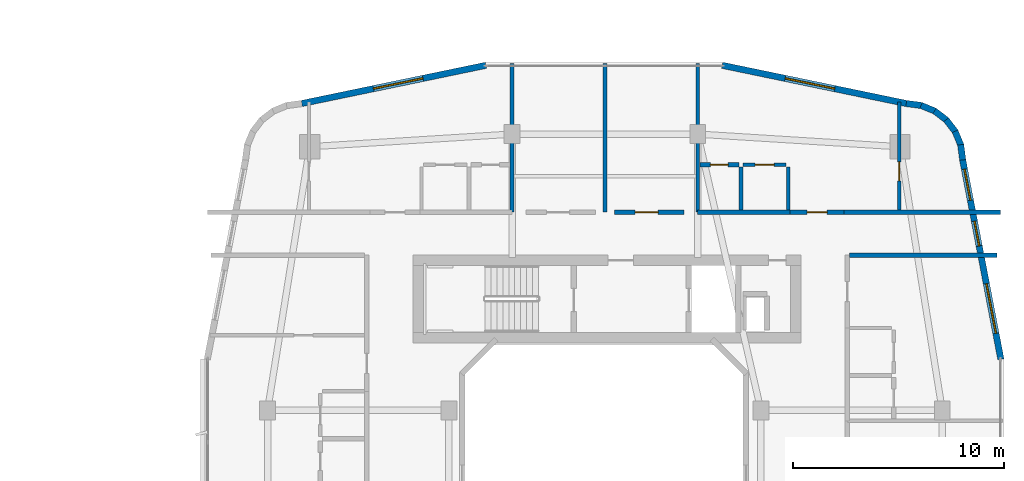
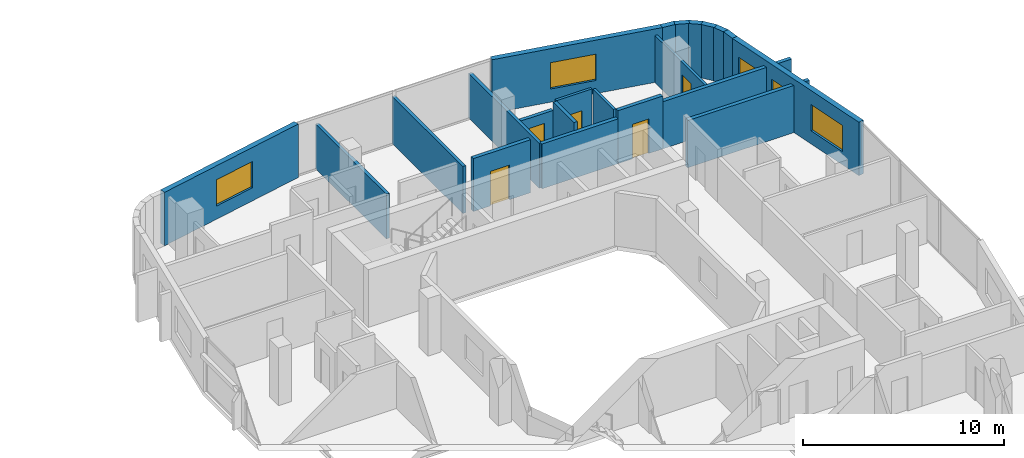
# One storey, part 20 of 26: 22 walls, 5 doors, 5 windows, 10 openings.
"""IFC4 building model written with IfcOpenShell, lengths in metres."""

from ifc_helpers import new_model, si_unit, derived_unit, direction, frame, frame_2d, origin, place, context, subcontext, project, spatial, rectangle, extrude, material, layer, layer_set, type_object, element, fill, save


model = new_model("IFC4")

# Units and contexts
model_context = context("Model", 3, precision=1e-05, world=origin(), true_north=direction((0.0, 1.0)))
body_context = subcontext(model_context, "Body", "Model", "MODEL_VIEW")
ifc_project = project(units=[si_unit("LENGTHUNIT", "METRE"), si_unit("AREAUNIT", "SQUARE_METRE"), si_unit("VOLUMEUNIT", "CUBIC_METRE"), si_unit("PLANEANGLEUNIT", "RADIAN"), si_unit("MASSUNIT", "GRAM", prefix="KILO"), derived_unit("THERMALTRANSMITTANCEUNIT", [(si_unit("POWERUNIT", "WATT"), 1), (si_unit("LENGTHUNIT", "METRE"), -2), (si_unit("THERMODYNAMICTEMPERATUREUNIT", "KELVIN"), -1)])], contexts=[model_context])

# Site, building, storey
site_placement = place(None, origin())
site = spatial("IfcSite", under=ifc_project, at=site_placement, CompositionType="ELEMENT")
building_placement = place(site_placement, origin())
building = spatial("IfcBuilding", under=site, at=building_placement, Name="Kivonza Crest Hotel", CompositionType="ELEMENT")
storey_placement = place(building_placement, frame((0.0, 0.0, 62.5)))
storey = spatial("IfcBuildingStorey", under=building, at=storey_placement, Name="L16", CompositionType="ELEMENT", Elevation=62.5)

# Walls
ifc_material_1 = material(Name="High-density acoustic masonry inter-tenancy wall", Category="masonry")
ifc_layer_1 = layer(ifc_material_1, 0.179931640625)
ifc_layer_set_1 = layer_set([ifc_layer_1], Name="High-density acoustic masonry inter-tenancy wall")
wall_type_1 = type_object("IfcWallType", Name="WL-ACOU-180", PredefinedType="SOLIDWALL", material=ifc_layer_set_1)
wall_1_placement = place(storey_placement, frame((72.60009765625, 37.89990234375, 0.0), z_axis=(0.0, 0.0, 1.0), x_axis=(0.0, 1.0, 0.0)))
element("IfcWall", 1, at=wall_1_placement, inside=storey, type_object=wall_type_1, Name="L16 interior partition WA-L16-T2N-DIV1", PredefinedType="SOLIDWALL", context=body_context, shape_type="SweptSolid", body=[
    extrude(rectangle(XDim=7.0400390625, YDim=0.179931640625, at=frame_2d((3.52001953125, 0.0))), origin(), (0.0, 0.0, 1.0), 2.72509765625),
])
wall_2_placement = place(storey_placement, frame((77.0, 37.89990234375, 0.0), z_axis=(0.0, 0.0, 1.0), x_axis=(0.0, 1.0, 0.0)))
element("IfcWall", 2, at=wall_2_placement, inside=storey, type_object=wall_type_1, Name="L16 interior partition WA-L16-T2N-OFFDIV", PredefinedType="SOLIDWALL", context=body_context, shape_type="SweptSolid", body=[
    extrude(rectangle(XDim=7.0400390625, YDim=0.179931640625, at=frame_2d((3.52001953125, 0.0))), origin(), (0.0, 0.0, 1.0), 2.864990234375),
])
wall_3_placement = place(storey_placement, frame((81.39990234375, 37.89990234375, 0.0), z_axis=(0.0, 0.0, 1.0), x_axis=(0.0, 1.0, 0.0)))
element("IfcWall", 3, at=wall_3_placement, inside=storey, type_object=wall_type_1, Name="L16 interior partition WA-L16-T2N-DIV2", PredefinedType="SOLIDWALL", context=body_context, shape_type="SweptSolid", body=[
    extrude(rectangle(XDim=7.0400390625, YDim=0.179931640625, at=frame_2d((3.52001953125, 0.0))), origin(), (0.0, 0.0, 1.0), 2.72509765625),
])

# Wall, opening, door
ifc_material_2 = material(Name="Autoclaved aerated concrete blockwork", Category="masonry")
ifc_layer_2 = layer(ifc_material_2, 0.219970703125)
ifc_layer_set_2 = layer_set([ifc_layer_2], Name="Autoclaved aerated concrete blockwork")
wall_type_2 = type_object("IfcWallType", Name="WL-ACOU-220", PredefinedType="SOLIDWALL", material=ifc_layer_set_2)
wall_4_placement = place(storey_placement, frame((77.449951171875, 37.89990234375, 0.0), z_axis=(0.0, 0.0, 1.0), x_axis=(1.0, 0.0, 0.0)))
wall_4 = element("IfcWall", 4, at=wall_4_placement, inside=storey, type_object=wall_type_2, Name="L16 interior partition WA-L16-T2-OFF2-S", PredefinedType="SOLIDWALL", context=body_context, shape_type="SweptSolid", body=[
    extrude(rectangle(XDim=3.300048828125, YDim=0.219970703125, at=frame_2d((1.64990234375, 0.0))), origin(), (0.0, 0.0, 1.0), 3.219970703125),
])
opening_1_placement = place(wall_4_placement, frame((0.97998046875, 0.0, 0.0)))
opening_1 = element("IfcOpeningElement", 5, at=opening_1_placement, cuts=wall_4, Name="Opening DF-60M", PredefinedType="OPENING", context=body_context, shape_type="SweptSolid", body=[
    extrude(rectangle(XDim=1.10009765625, YDim=2.10009765625, at=frame_2d((0.550048828125, 1.050048828125))), frame((0.0, 0.1201171875, 0.0), z_axis=(0.0, -1.0, 0.0), x_axis=(1.0, 0.0, 0.0)), (0.0, 0.0, 1.0), 0.239990234375),
])
ifc_material_3 = material(Name="Hardwood timber oak", Category="wood")
door_type_1 = type_object("IfcDoorType", Name="DR-FD60-1100", OperationType="NOTDEFINED", PredefinedType="DOOR", material=ifc_material_3)
door_1_placement = place(opening_1_placement, origin())
door_1 = element("IfcDoor", 6, at=door_1_placement, inside=storey, type_object=door_type_1, Name="L16 Resident Co-Working Study East door", OperationType="SINGLE_SWING_LEFT", OverallHeight=2.10009765625, OverallWidth=1.10009765625, PredefinedType="DOOR", context=body_context, shape_type="SweptSolid", body=[
    extrude(rectangle(XDim=1.10009765625, YDim=2.10009765625, at=frame_2d((0.550048828125, 1.050048828125))), frame((0.0, 0.02490234375, 0.0), z_axis=(0.0, -1.0, 0.0), x_axis=(1.0, 0.0, 0.0)), (0.0, 0.0, 1.0), 0.050048828125),
])
fill(opening_1, door_1)

# Walls
wall_5_placement = place(storey_placement, frame((81.39990234375, 37.89990234375, 0.0), z_axis=(0.0, 0.0, 1.0), x_axis=(1.0, 0.0, 0.0)))
element("IfcWall", 7, at=wall_5_placement, inside=storey, type_object=wall_type_2, Name="L16 interior partition WA-L16-A02-LCORR", PredefinedType="SOLIDWALL", context=body_context, shape_type="SweptSolid", body=[
    extrude(rectangle(XDim=4.380126953125, YDim=0.219970703125, at=frame_2d((2.18994140625, 0.0))), origin(), (0.0, 0.0, 1.0), 2.72509765625),
])
wall_6_placement = place(storey_placement, frame((88.35009765625, 37.89990234375, 0.0), z_axis=(0.0, 0.0, 1.0), x_axis=(1.0, 0.0, 0.0)))
element("IfcWall", 8, at=wall_6_placement, inside=storey, type_object=wall_type_2, Name="L16 interior partition WA-L16-A02-RCORR", PredefinedType="SOLIDWALL", context=body_context, shape_type="SweptSolid", body=[
    extrude(rectangle(XDim=7.409912109375, YDim=0.219970703125, at=frame_2d((3.705078125, 0.0))), origin(), (0.0, 0.0, 1.0), 2.864990234375),
])

# Wall, opening, door
wall_7_placement = place(storey_placement, frame((85.780029296875, 37.89990234375, 0.0), z_axis=(0.0, 0.0, 1.0), x_axis=(1.0, 0.0, 0.0)))
wall_7 = element("IfcWall", 9, at=wall_7_placement, inside=storey, type_object=wall_type_2, Name="L16 interior partition WA-L16-A02-MCORR", PredefinedType="SOLIDWALL", context=body_context, shape_type="SweptSolid", body=[
    extrude(rectangle(XDim=2.570068359375, YDim=0.219970703125, at=frame_2d((1.28515625, 0.0))), origin(), (0.0, 0.0, 1.0), 3.219970703125),
])
opening_2_placement = place(wall_7_placement, frame((0.81005859375, 0.0, 0.0)))
opening_2 = element("IfcOpeningElement", 10, at=opening_2_placement, cuts=wall_7, Name="Opening DU-60", PredefinedType="OPENING", context=body_context, shape_type="SweptSolid", body=[
    extrude(rectangle(XDim=0.949951171875, YDim=2.10009765625, at=frame_2d((0.47509765625, 1.050048828125))), frame((0.0, 0.1201171875, 0.0), z_axis=(0.0, -1.0, 0.0), x_axis=(1.0, 0.0, 0.0)), (0.0, 0.0, 1.0), 0.239990234375),
])
door_type_2 = type_object("IfcDoorType", Name="DR-UNIT-950", OperationType="NOTDEFINED", PredefinedType="DOOR", material=ifc_material_3)
door_2_placement = place(opening_2_placement, origin())
door_2 = element("IfcDoor", 11, at=door_2_placement, inside=storey, type_object=door_type_2, Name="L16 A02 apartment entrance fire door", OperationType="SINGLE_SWING_RIGHT", OverallHeight=2.10009765625, OverallWidth=0.949951171875, PredefinedType="DOOR", context=body_context, shape_type="SweptSolid", body=[
    extrude(rectangle(XDim=0.949951171875, YDim=2.10009765625, at=frame_2d((0.47509765625, 1.050048828125))), frame((0.0, 0.02490234375, 0.0), z_axis=(0.0, -1.0, 0.0), x_axis=(1.0, 0.0, 0.0)), (0.0, 0.0, 1.0), 0.050048828125),
])
fill(opening_2, door_2)

# Wall
wall_8_placement = place(storey_placement, frame((88.60009765625, 35.860107421875, 0.0), z_axis=(0.0, 0.0, 1.0), x_axis=(1.0, 0.0, 0.0)))
element("IfcWall", 12, at=wall_8_placement, inside=storey, type_object=wall_type_2, Name="L16 interior partition WA-L16-T2E-ENDN", PredefinedType="SOLIDWALL", context=body_context, shape_type="SweptSolid", body=[
    extrude(rectangle(XDim=7.0, YDim=0.219970703125, at=frame_2d((3.5, 0.0))), origin(), (0.0, 0.0, 1.0), 2.864990234375),
])

# Wall, openings, windows
ifc_material_4 = material(Name="Precast concrete C40/50", Category="concrete")
ifc_layer_3 = layer(ifc_material_4, 0.300048828125)
ifc_layer_set_3 = layer_set([ifc_layer_3], Name="Precast concrete C40/50")
wall_type_3 = type_object("IfcWallType", Name="WL-EXT-300", PredefinedType="STANDARD", material=ifc_layer_set_3)
wall_9_placement = place(storey_placement, frame((95.782958984375, 30.91796875, 0.0), z_axis=(0.0, 0.0, 1.0), x_axis=(-0.188087874316, 0.982152203854, 0.0)))
wall_9 = element("IfcWall", 13, at=wall_9_placement, inside=storey, type_object=wall_type_3, Name="L16 T2 exterior insulated wall 18", PredefinedType="STANDARD", context=body_context, shape_type="SweptSolid", body=[
    extrude(rectangle(XDim=9.6337890625, YDim=0.300048828125, at=frame_2d((4.81689453125, 0.0))), origin(), (0.0, 0.0, 1.0), 3.25),
])
opening_3_placement = place(wall_9_placement, frame((1.2548828125, 0.0, 0.800048828125)))
opening_3 = element("IfcOpeningElement", 14, at=opening_3_placement, cuts=wall_9, Name="Opening WN-05", PredefinedType="OPENING", context=body_context, shape_type="SweptSolid", body=[
    extrude(rectangle(XDim=2.39990234375, YDim=1.60009765625, at=frame_2d((1.199951171875, 0.800048828125))), frame((0.0, 0.16015625, 0.0), z_axis=(0.0, -1.0, 0.0), x_axis=(1.0, 0.0, 0.0)), (0.0, 0.0, 1.0), 0.320068359375),
])
opening_4_placement = place(wall_9_placement, frame((5.469970703125, 0.0, 0.85009765625)))
opening_4 = element("IfcOpeningElement", 15, at=opening_4_placement, cuts=wall_9, Name="Opening WN-01", PredefinedType="OPENING", context=body_context, shape_type="SweptSolid", body=[
    extrude(rectangle(XDim=1.199951171875, YDim=1.5, at=frame_2d((0.60009765625, 0.75))), frame((0.0, 0.16015625, 0.0), z_axis=(0.0, -1.0, 0.0), x_axis=(1.0, 0.0, 0.0)), (0.0, 0.0, 1.0), 0.320068359375),
])
opening_5_placement = place(wall_9_placement, frame((7.681884765625, 0.0, 0.85009765625)))
opening_5 = element("IfcOpeningElement", 16, at=opening_5_placement, cuts=wall_9, Name="Opening WN-02", PredefinedType="OPENING", context=body_context, shape_type="SweptSolid", body=[
    extrude(rectangle(XDim=1.5, YDim=1.5, at=frame_2d((0.75, 0.75))), frame((0.0, 0.16015625, 0.0), z_axis=(0.0, -1.0, 0.0), x_axis=(1.0, 0.0, 0.0)), (0.0, 0.0, 1.0), 0.320068359375),
])
ifc_material_5 = material(Name="Thermally broken bronze aluminium and low-E double glazing", Category="aluminium")
window_type_1 = type_object("IfcWindowType", Name="WN-120x150", PartitioningType="SINGLE_PANEL", PredefinedType="WINDOW", material=ifc_material_5)
window_1_placement = place(opening_4_placement, origin())
window_1 = element("IfcWindow", 17, at=window_1_placement, inside=storey, type_object=window_type_1, Name="L16 T2 facade window 18 bay 2", OverallHeight=1.5, OverallWidth=1.199951171875, PartitioningType="SINGLE_PANEL", PredefinedType="WINDOW", context=body_context, shape_type="SweptSolid", body=[
    extrude(rectangle(XDim=1.199951171875, YDim=1.5, at=frame_2d((0.60009765625, 0.75))), frame((0.0, 0.030029296875, 0.0), z_axis=(0.0, -1.0, 0.0), x_axis=(1.0, 0.0, 0.0)), (0.0, 0.0, 1.0), 0.06005859375),
])
fill(opening_4, window_1)
window_type_2 = type_object("IfcWindowType", Name="WN-150x150", PartitioningType="DOUBLE_PANEL_VERTICAL", PredefinedType="WINDOW", material=ifc_material_5)
window_2_placement = place(opening_5_placement, origin())
window_2 = element("IfcWindow", 18, at=window_2_placement, inside=storey, type_object=window_type_2, Name="L16 T2 facade window 18 bay 3", OverallHeight=1.5, OverallWidth=1.5, PartitioningType="SINGLE_PANEL", PredefinedType="WINDOW", context=body_context, shape_type="SweptSolid", body=[
    extrude(rectangle(XDim=1.5, YDim=1.5, at=frame_2d((0.75, 0.75))), frame((0.0, 0.030029296875, 0.0), z_axis=(0.0, -1.0, 0.0), x_axis=(1.0, 0.0, 0.0)), (0.0, 0.0, 1.0), 0.06005859375),
])
fill(opening_5, window_2)
window_type_3 = type_object("IfcWindowType", Name="WN-240x160", PartitioningType="TRIPLE_PANEL_VERTICAL", PredefinedType="WINDOW", material=ifc_material_5)
window_3_placement = place(opening_3_placement, origin())
window_3 = element("IfcWindow", 19, at=window_3_placement, inside=storey, type_object=window_type_3, Name="L16 T2 facade window 18 bay 1", OverallHeight=1.60009765625, OverallWidth=2.39990234375, PartitioningType="SINGLE_PANEL", PredefinedType="WINDOW", context=body_context, shape_type="SweptSolid", body=[
    extrude(rectangle(XDim=2.39990234375, YDim=1.60009765625, at=frame_2d((1.199951171875, 0.800048828125))), frame((0.0, 0.030029296875, 0.0), z_axis=(0.0, -1.0, 0.0), x_axis=(1.0, 0.0, 0.0)), (0.0, 0.0, 1.0), 0.06005859375),
])
fill(opening_3, window_3)

# Walls
wall_10_placement = place(storey_placement, frame((93.971923828125, 40.373046875, 0.0), z_axis=(0.0, 0.0, 1.0), x_axis=(-0.130255288807, 0.991480488834, 0.0)))
element("IfcWall", 20, at=wall_10_placement, inside=storey, type_object=wall_type_3, Name="L16 T2 exterior insulated wall 19", PredefinedType="STANDARD", context=body_context, shape_type="SweptSolid", body=[
    extrude(rectangle(XDim=0.72900390625, YDim=0.300048828125, at=frame_2d((0.364501953125, 0.0))), origin(), (0.0, 0.0, 1.0), 3.25),
])
wall_11_placement = place(storey_placement, frame((93.89599609375, 41.044921875, 0.0), z_axis=(0.0, 0.0, 1.0), x_axis=(-0.383267045233, 0.923637576129, 0.0)))
element("IfcWall", 21, at=wall_11_placement, inside=storey, type_object=wall_type_3, Name="L16 T2 exterior insulated wall 20", PredefinedType="STANDARD", context=body_context, shape_type="SweptSolid", body=[
    extrude(rectangle(XDim=0.745849609375, YDim=0.300048828125, at=frame_2d((0.373046875, 0.0))), origin(), (0.0, 0.0, 1.0), 3.25),
])
for number, where, z_axis, x_axis, name in (
    (22, (93.64111328125, 41.68896484375, 0.0), (0.0, 0.0, 1.0), (-0.608603261071, 0.793474681772, 0.0), "L16 T2 exterior insulated wall 21"),
    (23, (93.22900390625, 42.24609375, 0.0), (0.0, 0.0, 1.0), (-0.79363269798, 0.608397189915, 0.0), "L16 T2 exterior insulated wall 22"),
):
    element("IfcWall", number, at=place(storey_placement, frame(where, z_axis=z_axis, x_axis=x_axis)), inside=storey, type_object=wall_type_3, Name=name, PredefinedType="STANDARD", context=body_context, shape_type="SweptSolid", body=[
        extrude(rectangle(XDim=0.74609375, YDim=0.300048828125, at=frame_2d((0.373046875, 0.0))), origin(), (0.0, 0.0, 1.0), 3.25),
    ])
wall_12_placement = place(storey_placement, frame((92.68603515625, 42.676025390625, 0.0), z_axis=(0.0, 0.0, 1.0), x_axis=(-0.923637576129, 0.383267045233, 0.0)))
element("IfcWall", 24, at=wall_12_placement, inside=storey, type_object=wall_type_3, Name="L16 T2 exterior insulated wall 23", PredefinedType="STANDARD", context=body_context, shape_type="SweptSolid", body=[
    extrude(rectangle(XDim=0.745849609375, YDim=0.300048828125, at=frame_2d((0.373046875, 0.0))), origin(), (0.0, 0.0, 1.0), 3.25),
])
wall_13_placement = place(storey_placement, frame((92.051025390625, 42.952880859375, 0.0), z_axis=(0.0, 0.0, 1.0), x_axis=(-0.991559404866, 0.129653178221, 0.0)))
element("IfcWall", 25, at=wall_13_placement, inside=storey, type_object=wall_type_3, Name="L16 T2 exterior insulated wall 24", PredefinedType="STANDARD", context=body_context, shape_type="SweptSolid", body=[
    extrude(rectangle(XDim=0.764404296875, YDim=0.300048828125, at=frame_2d((0.38232421875, 0.0))), origin(), (0.0, 0.0, 1.0), 3.25),
])

# Wall, opening, window
wall_14_placement = place(storey_placement, frame((91.298095703125, 43.051025390625, 0.0), z_axis=(0.0, 0.0, 1.0), x_axis=(-0.979128391325, 0.203242695569, 0.0)))
wall_14 = element("IfcWall", 26, at=wall_14_placement, inside=storey, type_object=wall_type_3, Name="L16 T2 exterior insulated wall 25", PredefinedType="STANDARD", context=body_context, shape_type="SweptSolid", body=[
    extrude(rectangle(XDim=8.92041015625, YDim=0.300048828125, at=frame_2d((4.460205078125, 0.0))), origin(), (0.0, 0.0, 1.0), 3.25),
])
opening_6_placement = place(wall_14_placement, frame((3.471923828125, 0.0, 0.800048828125)))
opening_6 = element("IfcOpeningElement", 27, at=opening_6_placement, cuts=wall_14, Name="Opening WN-05", PredefinedType="OPENING", context=body_context, shape_type="SweptSolid", body=[
    extrude(rectangle(XDim=2.39990234375, YDim=1.60009765625, at=frame_2d((1.199951171875, 0.800048828125))), frame((0.0, 0.16015625, 0.0), z_axis=(0.0, -1.0, 0.0), x_axis=(1.0, 0.0, 0.0)), (0.0, 0.0, 1.0), 0.320068359375),
])
window_4_placement = place(opening_6_placement, origin())
window_4 = element("IfcWindow", 28, at=window_4_placement, inside=storey, type_object=window_type_3, Name="L16 T2 facade window 25", OverallHeight=1.60009765625, OverallWidth=2.39990234375, PartitioningType="SINGLE_PANEL", PredefinedType="WINDOW", context=body_context, shape_type="SweptSolid", body=[
    extrude(rectangle(XDim=2.39990234375, YDim=1.60009765625, at=frame_2d((1.199951171875, 0.800048828125))), frame((0.0, 0.030029296875, 0.0), z_axis=(0.0, -1.0, 0.0), x_axis=(1.0, 0.0, 0.0)), (0.0, 0.0, 1.0), 0.06005859375),
])
fill(opening_6, window_4)

wall_15_placement = place(storey_placement, frame((71.35595703125, 44.864013671875, 0.0), z_axis=(0.0, 0.0, 1.0), x_axis=(-0.979127260729, -0.203248142175, 0.0)))
wall_15 = element("IfcWall", 29, at=wall_15_placement, inside=storey, type_object=wall_type_3, Name="L16 T2 exterior insulated wall 27", PredefinedType="STANDARD", context=body_context, shape_type="SweptSolid", body=[
    extrude(rectangle(XDim=8.920166015625, YDim=0.300048828125, at=frame_2d((4.4599609375, 0.0))), origin(), (0.0, 0.0, 1.0), 3.25),
])
opening_7_placement = place(wall_15_placement, frame((3.048095703125, 0.0, 0.800048828125)))
opening_7 = element("IfcOpeningElement", 30, at=opening_7_placement, cuts=wall_15, Name="Opening WN-05", PredefinedType="OPENING", context=body_context, shape_type="SweptSolid", body=[
    extrude(rectangle(XDim=2.39990234375, YDim=1.60009765625, at=frame_2d((1.199951171875, 0.800048828125))), frame((0.0, 0.16015625, 0.0), z_axis=(0.0, -1.0, 0.0), x_axis=(1.0, 0.0, 0.0)), (0.0, 0.0, 1.0), 0.320068359375),
])
window_5_placement = place(opening_7_placement, origin())
window_5 = element("IfcWindow", 31, at=window_5_placement, inside=storey, type_object=window_type_3, Name="L16 T2 facade window 27", OverallHeight=1.60009765625, OverallWidth=2.39990234375, PartitioningType="SINGLE_PANEL", PredefinedType="WINDOW", context=body_context, shape_type="SweptSolid", body=[
    extrude(rectangle(XDim=2.39990234375, YDim=1.60009765625, at=frame_2d((1.199951171875, 0.800048828125))), frame((0.0, 0.030029296875, 0.0), z_axis=(0.0, -1.0, 0.0), x_axis=(1.0, 0.0, 0.0)), (0.0, 0.0, 1.0), 0.06005859375),
])
fill(opening_7, window_5)

# Wall, opening, door
ifc_material_6 = material(Name="Twin-stud acoustic gypsum board partition", Category="gypsum")
ifc_layer_4 = layer(ifc_material_6, 0.14990234375)
ifc_layer_set_4 = layer_set([ifc_layer_4], Name="Twin-stud acoustic gypsum board partition")
wall_type_4 = type_object("IfcWallType", Name="WL-PART-150", PredefinedType="PARTITIONING", material=ifc_layer_set_4)
wall_16_placement = place(storey_placement, frame((90.9599609375, 38.0, 0.0), z_axis=(0.0, 0.0, 1.0), x_axis=(0.0, 1.0, 0.0)))
wall_16 = element("IfcWall", 32, at=wall_16_placement, inside=storey, type_object=wall_type_4, Name="L16 interior partition WP-L16-A02-BDW1", PredefinedType="PARTITIONING", context=body_context, shape_type="SweptSolid", body=[
    extrude(rectangle(XDim=5.113037109375, YDim=0.14990234375, at=frame_2d((2.556640625, 0.0))), origin(), (0.0, 0.0, 1.0), 2.864990234375),
])
opening_8_placement = place(wall_16_placement, frame((1.3798828125, 0.0, 0.0)))
opening_8 = element("IfcOpeningElement", 33, at=opening_8_placement, cuts=wall_16, Name="Opening DI-90", PredefinedType="OPENING", context=body_context, shape_type="SweptSolid", body=[
    extrude(rectangle(XDim=0.89990234375, YDim=2.10009765625, at=frame_2d((0.449951171875, 1.050048828125))), frame((0.0, 0.0849609375, 0.0), z_axis=(0.0, -1.0, 0.0), x_axis=(1.0, 0.0, 0.0)), (0.0, 0.0, 1.0), 0.169921875),
])
door_type_3 = type_object("IfcDoorType", Name="DR-INT-900", OperationType="NOTDEFINED", PredefinedType="DOOR", material=ifc_material_3)
door_3_placement = place(opening_8_placement, origin())
door_3 = element("IfcDoor", 34, at=door_3_placement, inside=storey, type_object=door_type_3, Name="L16 A02 bedroom 1 door", OperationType="SINGLE_SWING_LEFT", OverallHeight=2.10009765625, OverallWidth=0.89990234375, PredefinedType="DOOR", context=body_context, shape_type="SweptSolid", body=[
    extrude(rectangle(XDim=0.89990234375, YDim=2.10009765625, at=frame_2d((0.449951171875, 1.050048828125))), frame((0.0, 0.02490234375, 0.0), z_axis=(0.0, -1.0, 0.0), x_axis=(1.0, 0.0, 0.0)), (0.0, 0.0, 1.0), 0.050048828125),
])
fill(opening_8, door_3)

# Wall
wall_17_placement = place(storey_placement, frame((85.699951171875, 38.0, 0.0), z_axis=(0.0, 0.0, 1.0), x_axis=(0.0, 1.0, 0.0)))
element("IfcWall", 35, at=wall_17_placement, inside=storey, type_object=wall_type_4, Name="L16 interior partition WP-L16-A02-KF", PredefinedType="PARTITIONING", context=body_context, shape_type="SweptSolid", body=[
    extrude(rectangle(XDim=2.050048828125, YDim=0.14990234375, at=frame_2d((1.02490234375, 0.0))), origin(), (0.0, 0.0, 1.0), 3.219970703125),
])

# Wall, opening, door
wall_18_placement = place(storey_placement, frame((83.550048828125, 40.14990234375, 0.0), z_axis=(0.0, 0.0, 1.0), x_axis=(1.0, 0.0, 0.0)))
wall_18 = element("IfcWall", 36, at=wall_18_placement, inside=storey, type_object=wall_type_4, Name="L16 interior partition WP-L16-A02-KSVC", PredefinedType="PARTITIONING", context=body_context, shape_type="SweptSolid", body=[
    extrude(rectangle(XDim=2.050048828125, YDim=0.14990234375, at=frame_2d((1.02490234375, 0.0))), origin(), (0.0, 0.0, 1.0), 3.219970703125),
])
opening_9_placement = place(wall_18_placement, frame((0.574951171875, 0.0, 0.0)))
opening_9 = element("IfcOpeningElement", 37, at=opening_9_placement, cuts=wall_18, Name="Opening DI-90", PredefinedType="OPENING", context=body_context, shape_type="SweptSolid", body=[
    extrude(rectangle(XDim=0.89990234375, YDim=2.10009765625, at=frame_2d((0.449951171875, 1.050048828125))), frame((0.0, 0.0849609375, 0.0), z_axis=(0.0, -1.0, 0.0), x_axis=(1.0, 0.0, 0.0)), (0.0, 0.0, 1.0), 0.169921875),
])
door_4_placement = place(opening_9_placement, origin())
door_4 = element("IfcDoor", 38, at=door_4_placement, inside=storey, type_object=door_type_3, Name="L16 A02 apartment kitchen door", OperationType="SINGLE_SWING_RIGHT", OverallHeight=2.10009765625, OverallWidth=0.89990234375, PredefinedType="DOOR", context=body_context, shape_type="SweptSolid", body=[
    extrude(rectangle(XDim=0.89990234375, YDim=2.10009765625, at=frame_2d((0.449951171875, 1.050048828125))), frame((0.0, 0.02490234375, 0.0), z_axis=(0.0, -1.0, 0.0), x_axis=(1.0, 0.0, 0.0)), (0.0, 0.0, 1.0), 0.050048828125),
])
fill(opening_9, door_4)

# Wall
ifc_material_7 = material(Name="Moisture-resistant plumbing chase partition wall", Category="gypsum")
ifc_layer_5 = layer(ifc_material_7, 0.199951171875)
ifc_layer_set_5 = layer_set([ifc_layer_5], Name="Moisture-resistant plumbing chase partition wall")
wall_type_5 = type_object("IfcWallType", Name="WL-PLUMB-200", PredefinedType="PLUMBINGWALL", material=ifc_layer_set_5)
wall_19_placement = place(storey_placement, frame((83.449951171875, 38.0, 0.0), z_axis=(0.0, 0.0, 1.0), x_axis=(0.0, 1.0, 0.0)))
element("IfcWall", 39, at=wall_19_placement, inside=storey, type_object=wall_type_5, Name="L16 interior partition WW-L16-A02-BK", PredefinedType="PLUMBINGWALL", context=body_context, shape_type="SweptSolid", body=[
    extrude(rectangle(XDim=2.050048828125, YDim=0.199951171875, at=frame_2d((1.02490234375, 0.0))), origin(), (0.0, 0.0, 1.0), 3.219970703125),
])

# Wall, opening, door
wall_20_placement = place(storey_placement, frame((81.5, 40.14990234375, 0.0), z_axis=(0.0, 0.0, 1.0), x_axis=(1.0, 0.0, 0.0)))
wall_20 = element("IfcWall", 40, at=wall_20_placement, inside=storey, type_object=wall_type_5, Name="L16 interior partition WW-L16-A02-BSVC", PredefinedType="PLUMBINGWALL", context=body_context, shape_type="SweptSolid", body=[
    extrude(rectangle(XDim=1.85009765625, YDim=0.199951171875, at=frame_2d((0.925048828125, 0.0))), origin(), (0.0, 0.0, 1.0), 2.72509765625),
])
opening_10_placement = place(wall_20_placement, frame((0.5, 0.0, 0.0)))
opening_10 = element("IfcOpeningElement", 41, at=opening_10_placement, cuts=wall_20, Name="Opening DI-85", PredefinedType="OPENING", context=body_context, shape_type="SweptSolid", body=[
    extrude(rectangle(XDim=0.85009765625, YDim=2.10009765625, at=frame_2d((0.425048828125, 1.050048828125))), frame((0.0, 0.10986328125, 0.0), z_axis=(0.0, -1.0, 0.0), x_axis=(1.0, 0.0, 0.0)), (0.0, 0.0, 1.0), 0.219970703125),
])
door_type_4 = type_object("IfcDoorType", Name="DR-INT-850", OperationType="NOTDEFINED", PredefinedType="DOOR", material=ifc_material_3)
door_5_placement = place(opening_10_placement, origin())
door_5 = element("IfcDoor", 42, at=door_5_placement, inside=storey, type_object=door_type_4, Name="L16 A02 apartment bathroom door", OperationType="SINGLE_SWING_LEFT", OverallHeight=2.10009765625, OverallWidth=0.85009765625, PredefinedType="DOOR", context=body_context, shape_type="SweptSolid", body=[
    extrude(rectangle(XDim=0.85009765625, YDim=2.10009765625, at=frame_2d((0.425048828125, 1.050048828125))), frame((0.0, 0.02490234375, 0.0), z_axis=(0.0, -1.0, 0.0), x_axis=(1.0, 0.0, 0.0)), (0.0, 0.0, 1.0), 0.050048828125),
])
fill(opening_10, door_5)

save(model, "model.ifc")
